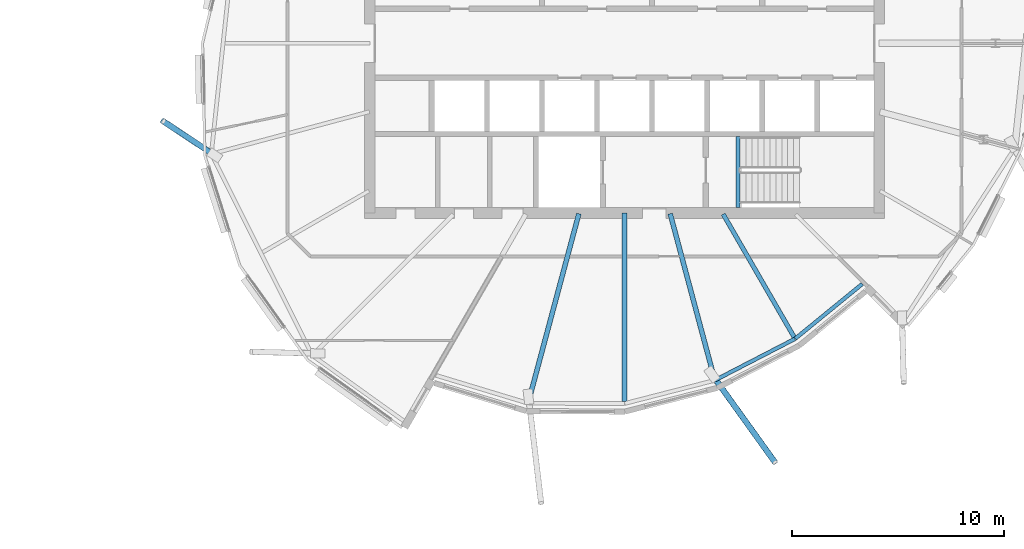
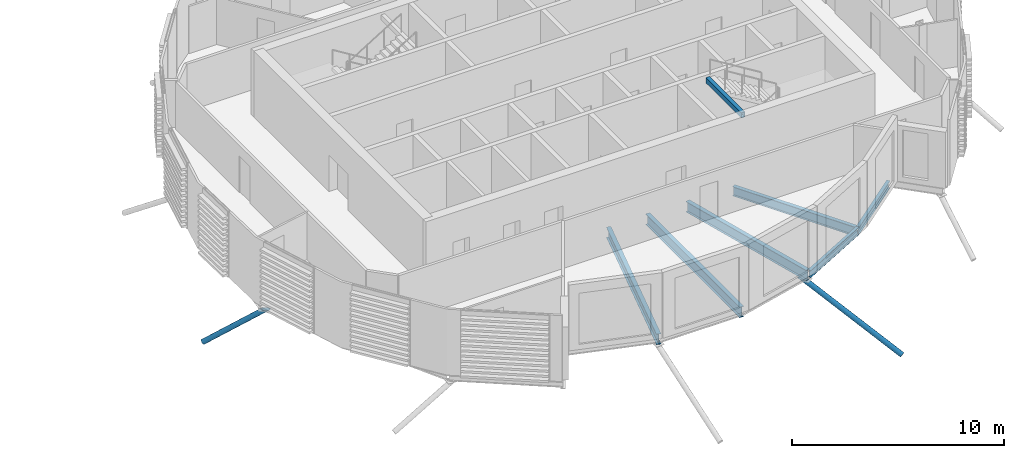
# One storey, part 10 of 41: 7 beams, 2 members.
"""IFC4 building model written with IfcOpenShell, lengths in metres."""

from ifc_helpers import new_model, si_unit, direction, frame, origin, origin_2d, place, context, subcontext, project, spatial, hollow_rectangle, hollow_circle, i_section, extrude, clip, halfspace, material, material_profile, profile_set, type_object, element, save


model = new_model("IFC4")

# Units and contexts
model_context = context("Model", 3, precision=1e-05, world=origin(), true_north=direction((0.0, 1.0)))
body_context = subcontext(model_context, "Body", "Model", "MODEL_VIEW")
ifc_project = project(units=[si_unit("LENGTHUNIT", "METRE"), si_unit("AREAUNIT", "SQUARE_METRE"), si_unit("VOLUMEUNIT", "CUBIC_METRE"), si_unit("PLANEANGLEUNIT", "RADIAN"), si_unit("MASSUNIT", "GRAM", prefix="KILO")], contexts=[model_context])

# Site, building, storey
site_placement = place(None, origin())
site = spatial("IfcSite", under=ifc_project, at=site_placement, CompositionType="ELEMENT")
building_placement = place(site_placement, origin())
building = spatial("IfcBuilding", under=site, at=building_placement, Name="Rimbun Link Towers", CompositionType="ELEMENT")
storey_placement = place(building_placement, frame((0.0, 0.0, 214.300048828125)))
storey = spatial("IfcBuildingStorey", under=building, at=storey_placement, Name="L52", CompositionType="ELEMENT", Elevation=214.300048828125)

# Members
ifc_material_1 = material(Name="Steel S355J2H", Category="steel")
ifc_material_profile_1 = material_profile(ifc_material_1, hollow_circle(Radius=0.136474609375, WallThickness=0.012451171875, at=origin_2d()), Name="CHS 273x12.5")
ifc_profile_set_1 = profile_set([ifc_material_profile_1], Name="Steel S355J2H")
member_type = type_object("IfcMemberType", Name="Floor edge link CHS 273x12.5", PredefinedType="BRACE", material=ifc_profile_set_1)
member_1_placement = place(storey_placement, frame((12.322021484375, -5.205810546875, -0.6591796875), z_axis=(-0.688272926538, 0.456287757996, -0.56398746484), x_axis=(-0.552551415021, -0.833478814223, 0.0)))
element("IfcMember", 1, at=member_1_placement, inside=storey, type_object=member_type, Name="Floor edge link T2 L52 10", PredefinedType="BRACE", context=body_context, shape_type="Clipping", body=[
    clip(extrude(hollow_circle(Radius=0.136474609375, WallThickness=0.012451171875, at=origin_2d()), frame((0.0, 0.0, -0.41748046875)), (0.0, 0.0, 1.0), 3.817626953125), halfspace(frame((0.0, 0.0, -0.1962890625), z_axis=(0.0, 0.82578334901, -0.56398746484)), False)),
])
member_2_placement = place(storey_placement, frame((35.969482421875, -15.74755859375, -0.862060546875), z_axis=(0.507179056889, -0.706257480898, -0.493932966028), x_axis=(0.812257035701, 0.583299672514, 0.0)))
element("IfcMember", 2, at=member_2_placement, inside=storey, type_object=member_type, Name="Floor edge link T2 L52 16", PredefinedType="BRACE", context=body_context, shape_type="Clipping", body=[
    clip(extrude(hollow_circle(Radius=0.136474609375, WallThickness=0.012451171875, at=origin_2d()), frame((0.0, 0.0, -0.500732421875)), (0.0, 0.0, 1.0), 6.177490234375), halfspace(frame((0.0, 0.0, -0.23779296875), z_axis=(0.0, 0.869499985665, -0.493932966028)), False)),
])

# Beams
ifc_material_2 = material(Name="Steel S355J2", Category="steel")
ifc_material_profile_2 = material_profile(ifc_material_2, hollow_rectangle(XDim=0.199951171875, YDim=0.300048828125, WallThickness=0.011962890625, at=origin_2d()), Name="BOX 300x200x12")
ifc_profile_set_2 = profile_set([ifc_material_profile_2], Name="Steel S355J2")
beam_type_1 = type_object("IfcBeamType", Name="Stair trimmer beam BOX 300x200x12", PredefinedType="BEAM", material=ifc_profile_set_2)
beam_1_placement = place(storey_placement, frame((37.10009765625, -7.75, 3.510009765625), z_axis=(0.0, 1.0, 0.0), x_axis=(-1.0, 0.0, 0.0)))
element("IfcBeam", 3, at=beam_1_placement, inside=storey, type_object=beam_type_1, Name="L52 ST4 stair beam 1", PredefinedType="BEAM", context=body_context, shape_type="SweptSolid", body=[
    extrude(hollow_rectangle(XDim=0.199951171875, YDim=0.300048828125, WallThickness=0.011962890625, at=origin_2d()), origin(), (0.0, 0.0, 1.0), 3.35009765625),
])
ifc_material_3 = material(Name="Steel S355J2", Category="steel")
ifc_material_profile_3 = material_profile(ifc_material_3, i_section(OverallWidth=0.177978515625, OverallDepth=0.406494140625, WebThickness=0.0078125, FlangeThickness=0.0126953125, at=origin_2d()), Name="UB 406x178x60")
ifc_profile_set_3 = profile_set([ifc_material_profile_3], Name="Steel S355J2")
beam_type_2 = type_object("IfcBeamType", Name="UB 406x178x60", PredefinedType="BEAM", material=ifc_profile_set_3)
beam_2_placement = place(storey_placement, frame((36.015625, -15.8779296875, -0.34326171875), z_axis=(0.88816820485, 0.459518486999, 0.0), x_axis=(-0.459518486999, 0.88816820485, 0.0)))
element("IfcBeam", 4, at=beam_2_placement, inside=storey, type_object=beam_type_2, Name="Edge beam T2 L52 16 recess", PredefinedType="BEAM", context=body_context, shape_type="SweptSolid", body=[
    extrude(i_section(OverallWidth=0.177978515625, OverallDepth=0.406494140625, WebThickness=0.0078125, FlangeThickness=0.0126953125, at=origin_2d()), origin(), (0.0, 0.0, 1.0), 4.2392578125),
])
beam_3_placement = place(storey_placement, frame((39.797607421875, -13.918701171875, -0.34326171875), z_axis=(0.774691160493, 0.632339786708, 0.0), x_axis=(-0.632339786708, 0.774691160493, 0.0)))
element("IfcBeam", 5, at=beam_3_placement, inside=storey, type_object=beam_type_2, Name="Edge beam T2 L52 17 recess", PredefinedType="BEAM", context=body_context, shape_type="SweptSolid", body=[
    extrude(i_section(OverallWidth=0.177978515625, OverallDepth=0.406494140625, WebThickness=0.0078125, FlangeThickness=0.0126953125, at=origin_2d()), origin(), (0.0, 0.0, 1.0), 4.0732421875),
])
ifc_material_4 = material(Name="Steel S355J2", Category="steel")
ifc_material_profile_4 = material_profile(ifc_material_4, i_section(OverallWidth=0.209228515625, OverallDepth=0.533203125, WebThickness=0.010009765625, FlangeThickness=0.015625, at=origin_2d()), Name="UB 533x210x92")
ifc_profile_set_4 = profile_set([ifc_material_profile_4], Name="Steel S355J2")
beam_type_3 = type_object("IfcBeamType", Name="UB 533x210x92", PredefinedType="BEAM", material=ifc_profile_set_4)
beam_4_placement = place(storey_placement, frame((36.3994140625, -8.05322265625, -0.406494140625), z_axis=(0.500008851346, -0.866020293397, 0.0), x_axis=(0.866020293397, 0.500008851346, 0.0)))
element("IfcBeam", 6, at=beam_4_placement, inside=storey, type_object=beam_type_3, Name="Radial beam T2 L52 17", PredefinedType="BEAM", context=body_context, shape_type="SweptSolid", body=[
    extrude(i_section(OverallWidth=0.209228515625, OverallDepth=0.533203125, WebThickness=0.010009765625, FlangeThickness=0.015625, at=origin_2d()), origin(), (0.0, 0.0, 1.0), 6.6904296875),
])
ifc_material_5 = material(Name="Steel S355J2", Category="steel")
ifc_material_profile_5 = material_profile(ifc_material_5, i_section(OverallWidth=0.2275390625, OverallDepth=0.6025390625, WebThickness=0.010498046875, FlangeThickness=0.014892578125, at=origin_2d()), Name="UB 610x229x101")
ifc_profile_set_5 = profile_set([ifc_material_profile_5], Name="Steel S355J2")
beam_type_4 = type_object("IfcBeamType", Name="UB 610x229x101", PredefinedType="BEAM", material=ifc_profile_set_5)
beam_5_placement = place(storey_placement, frame((29.598388671875, -8.030517578125, -0.44140625), z_axis=(-0.258828917395, -0.965923180962, 0.0), x_axis=(0.965923180962, -0.258828917395, 0.0)))
element("IfcBeam", 7, at=beam_5_placement, inside=storey, type_object=beam_type_4, Name="Radial beam T2 L52 14", PredefinedType="BEAM", context=body_context, shape_type="SweptSolid", body=[
    extrude(i_section(OverallWidth=0.2275390625, OverallDepth=0.6025390625, WebThickness=0.010498046875, FlangeThickness=0.014892578125, at=origin_2d()), origin(), (0.0, 0.0, 1.0), 9.157958984375),
])
beam_6_placement = place(storey_placement, frame((31.75, -8.0009765625, -0.44140625), z_axis=(0.0, -1.0, 0.0), x_axis=(1.0, 0.0, 0.0)))
element("IfcBeam", 8, at=beam_6_placement, inside=storey, type_object=beam_type_4, Name="Radial beam T2 L52 15", PredefinedType="BEAM", context=body_context, shape_type="SweptSolid", body=[
    extrude(i_section(OverallWidth=0.2275390625, OverallDepth=0.6025390625, WebThickness=0.010498046875, FlangeThickness=0.014892578125, at=origin_2d()), origin(), (0.0, 0.0, 1.0), 8.88671875),
])
beam_7_placement = place(storey_placement, frame((33.901611328125, -8.030517578125, -0.44140625), z_axis=(0.25882867967, -0.965923244663, 0.0), x_axis=(0.965923244663, 0.25882867967, 0.0)))
element("IfcBeam", 9, at=beam_7_placement, inside=storey, type_object=beam_type_4, Name="Radial beam T2 L52 16", PredefinedType="BEAM", context=body_context, shape_type="SweptSolid", body=[
    extrude(i_section(OverallWidth=0.2275390625, OverallDepth=0.6025390625, WebThickness=0.010498046875, FlangeThickness=0.014892578125, at=origin_2d()), origin(), (0.0, 0.0, 1.0), 8.039306640625),
])

save(model, "model.ifc")
